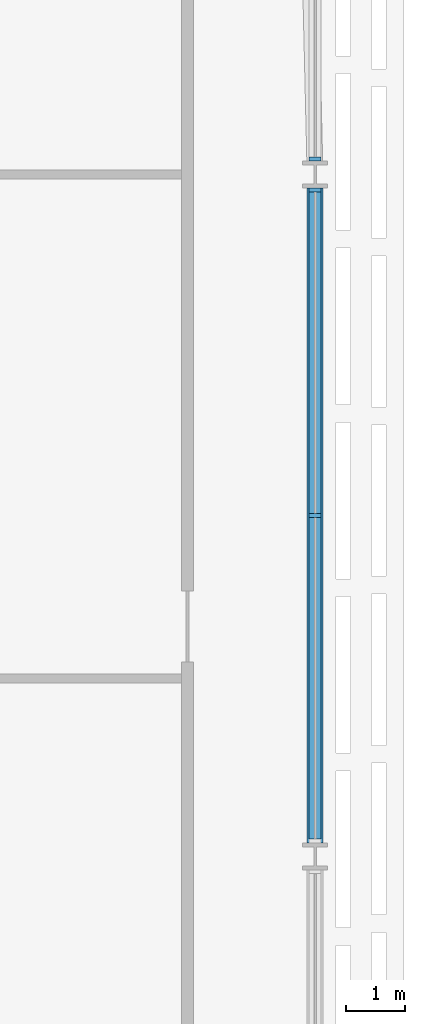
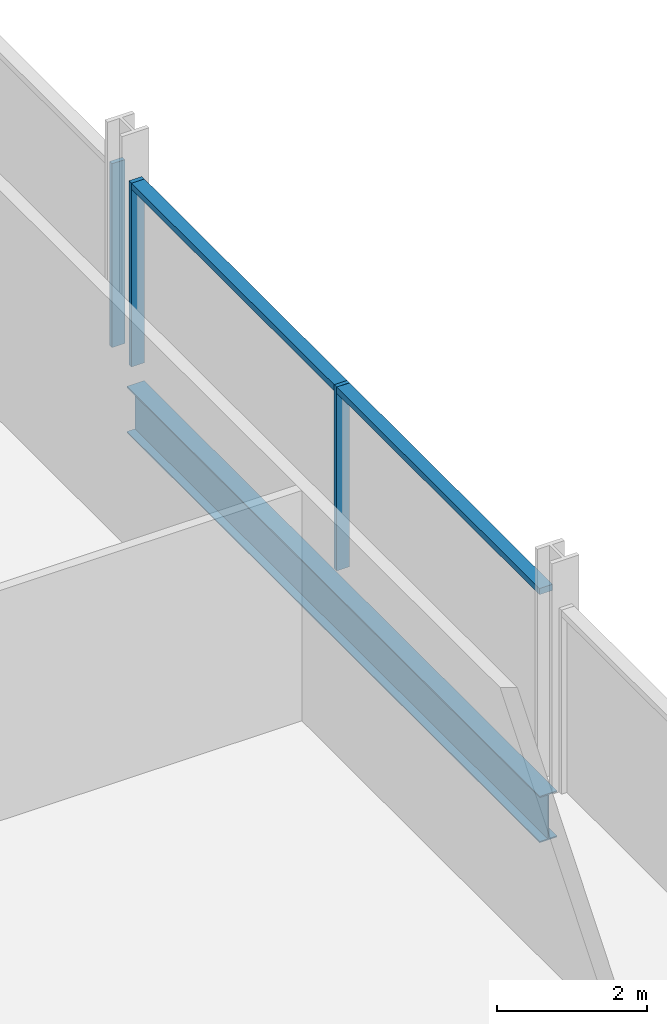
# One storey, part 9 of 29: 5 members, 1 beam, 2 elements without a shape of their own.
"""IFC4 building model written with IfcOpenShell, lengths in metres."""

from ifc_helpers import new_model, si_unit, direction, frame, origin, origin_2d, place, context, subcontext, project, spatial, rectangle, i_section, extrude, material, material_profile, profile_set, type_object, element, aggregate, save


model = new_model("IFC4")

# Units and contexts
model_context = context("Model", 3, precision=1e-05, world=origin(), true_north=direction((0.0, 1.0)))
body_context = subcontext(model_context, "Body", "Model", "MODEL_VIEW")
ifc_project = project(units=[si_unit("LENGTHUNIT", "METRE"), si_unit("AREAUNIT", "SQUARE_METRE"), si_unit("VOLUMEUNIT", "CUBIC_METRE"), si_unit("PLANEANGLEUNIT", "RADIAN"), si_unit("MASSUNIT", "GRAM", prefix="KILO")], contexts=[model_context])

# Site, building, storey
site_placement = place(None, origin())
site = spatial("IfcSite", under=ifc_project, at=site_placement, CompositionType="ELEMENT")
building_placement = place(site_placement, origin())
building = spatial("IfcBuilding", under=site, at=building_placement, Name="Mahtab Terrace Research Tower", CompositionType="ELEMENT")
storey_placement = place(building_placement, frame((0.0, 0.0, 109.39990234375)))
storey = spatial("IfcBuildingStorey", under=building, at=storey_placement, Name="L25", CompositionType="ELEMENT", Elevation=109.39990234375)

# Curtain wall, members
ifc_material_1 = material(Name="Laboratory ribbon curtain wall")
curtain_wall_type = type_object("IfcCurtainWallType", Name="Laboratory ribbon curtain wall", PredefinedType="NOTDEFINED", material=ifc_material_1)
curtain_wall_1_placement = place(storey_placement, origin())
curtain_wall_1 = element("IfcCurtainWall", 1, at=curtain_wall_1_placement, inside=storey, type_object=curtain_wall_type, Name="EN.L25.18.37", PredefinedType="NOTDEFINED")
ifc_material_2 = material(Name="Natural anodised aluminium", Category="aluminium")
ifc_material_profile_1 = material_profile(ifc_material_2, rectangle(XDim=0.199951171875, YDim=0.06494140625, at=origin_2d()), Name="MULLION 65x200")
ifc_profile_set_1 = profile_set([ifc_material_profile_1], Name="Natural anodised aluminium")
member_type_1 = type_object("IfcMemberType", Name="Laboratory ribbon curtain wall mullion", PredefinedType="MULLION", material=ifc_profile_set_1)
member_1_placement = place(storey_placement, frame((54.0, 5.75, 0.0), z_axis=(0.0, 0.0, 1.0), x_axis=(-1.0, 0.0, 0.0)))
member_1 = element("IfcMember", 2, at=member_1_placement, type_object=member_type_1, Name="CWL-3 mullion 2", PredefinedType="MULLION", context=body_context, shape_type="SweptSolid", body=[
    extrude(rectangle(XDim=0.199951171875, YDim=0.06494140625, at=origin_2d()), origin(), (0.0, 0.0, 1.0), 3.003173828125),
])
member_2_placement = place(storey_placement, frame((54.0, 11.239501953125, 0.0), z_axis=(0.0, 0.0, 1.0), x_axis=(-1.0, 0.0, 0.0)))
member_2 = element("IfcMember", 3, at=member_2_placement, type_object=member_type_1, Name="CWL-3 mullion 3", PredefinedType="MULLION", context=body_context, shape_type="SweptSolid", body=[
    extrude(rectangle(XDim=0.199951171875, YDim=0.06494140625, at=origin_2d()), origin(), (0.0, 0.0, 1.0), 3.003173828125),
])

# Curtain wall, member
curtain_wall_2_placement = place(storey_placement, origin())
curtain_wall_2 = element("IfcCurtainWall", 4, at=curtain_wall_2_placement, inside=storey, type_object=curtain_wall_type, Name="EN.L25.18.38", PredefinedType="NOTDEFINED")
member_3_placement = place(storey_placement, frame((54.0, 11.760498046875, 0.0), z_axis=(0.0, 0.0, 1.0), x_axis=(-1.0, 0.0, 0.0)))
member_3 = element("IfcMember", 5, at=member_3_placement, type_object=member_type_1, Name="CWL-3 mullion 1", PredefinedType="MULLION", context=body_context, shape_type="SweptSolid", body=[
    extrude(rectangle(XDim=0.199951171875, YDim=0.06494140625, at=origin_2d()), origin(), (0.0, 0.0, 1.0), 3.003173828125),
])
aggregate(curtain_wall_2, [member_3])

# Member
ifc_material_profile_2 = material_profile(ifc_material_2, rectangle(XDim=0.199951171875, YDim=0.10009765625, at=origin_2d()), Name="TRANSOM 100x200")
ifc_profile_set_2 = profile_set([ifc_material_profile_2], Name="Natural anodised aluminium")
member_type_2 = type_object("IfcMemberType", Name="Laboratory ribbon curtain wall transom", PredefinedType="USERDEFINED", material=ifc_profile_set_2)
member_4_placement = place(storey_placement, frame((54.0, 0.29296875, 2.953125), z_axis=(0.0, 1.0, 0.0), x_axis=(-1.0, 0.0, 0.0)))
member_4 = element("IfcMember", 6, at=member_4_placement, type_object=member_type_2, Name="CWL-3 transom 1", ObjectType="TRANSOM", PredefinedType="USERDEFINED", context=body_context, shape_type="SweptSolid", body=[
    extrude(rectangle(XDim=0.199951171875, YDim=0.10009765625, at=origin_2d()), origin(), (0.0, 0.0, 1.0), 5.424560546875),
])

member_5_placement = place(storey_placement, frame((54.0, 5.782470703125, 2.953125), z_axis=(0.0, 1.0, 0.0), x_axis=(-1.0, 0.0, 0.0)))
member_5 = element("IfcMember", 7, at=member_5_placement, type_object=member_type_2, Name="CWL-3 transom 2", ObjectType="TRANSOM", PredefinedType="USERDEFINED", context=body_context, shape_type="SweptSolid", body=[
    extrude(rectangle(XDim=0.199951171875, YDim=0.10009765625, at=origin_2d()), origin(), (0.0, 0.0, 1.0), 5.424560546875),
])

aggregate(curtain_wall_1, [member_1, member_2, member_4, member_5])

# Beam
ifc_material_3 = material(Name="Steel ASTM A992 Gr 50", Category="steel")
ifc_material_profile_3 = material_profile(ifc_material_3, i_section(OverallWidth=0.2666015625, OverallDepth=0.7568359375, WebThickness=0.013916015625, FlangeThickness=0.019287109375, at=origin_2d()), Name="W30X108")
ifc_profile_set_3 = profile_set([ifc_material_profile_3], Name="Steel ASTM A992 Gr 50")
beam_type = type_object("IfcBeamType", Name="W30x108 beam BS30108", PredefinedType="BEAM", material=ifc_profile_set_3)
beam_placement = place(storey_placement, frame((54.0, 0.227294921875, -0.71826171875), z_axis=(0.0, 1.0, 0.0), x_axis=(-1.0, 0.0, 0.0)))
element("IfcBeam", 8, at=beam_placement, inside=storey, type_object=beam_type, Name="Spandrel beam L25 21", PredefinedType="BEAM", context=body_context, shape_type="SweptSolid", body=[
    extrude(i_section(OverallWidth=0.2666015625, OverallDepth=0.7568359375, WebThickness=0.013916015625, FlangeThickness=0.019287109375, at=origin_2d()), origin(), (0.0, 0.0, 1.0), 11.04541015625),
])

save(model, "model.ifc")
